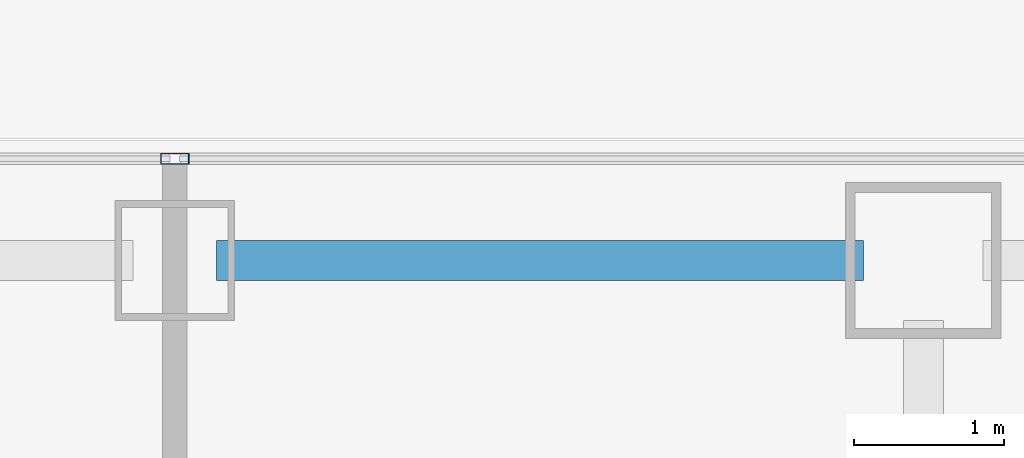
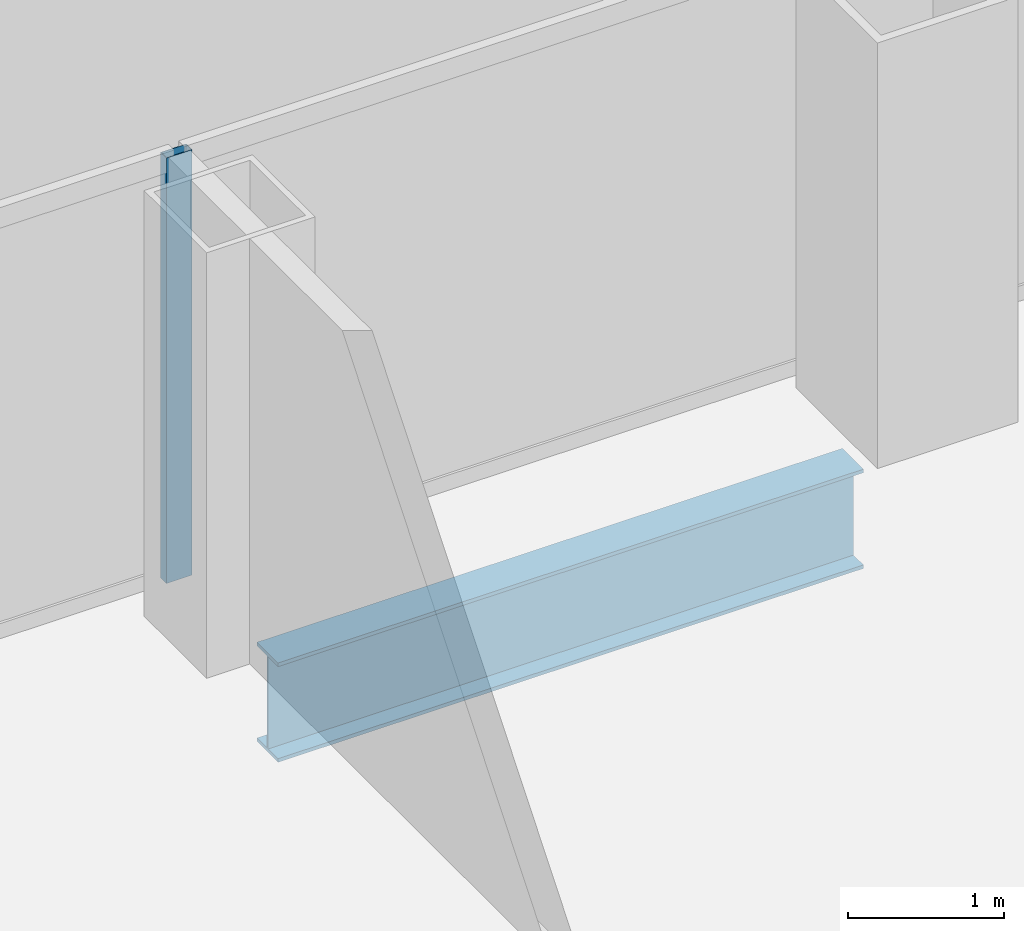
# One storey, part 13 of 21: 1 beam, 1 member, 1 element without a shape of its own.
"""IFC4 building model written with IfcOpenShell, lengths in metres."""

from ifc_helpers import new_model, si_unit, direction, frame, origin, origin_2d, place, context, subcontext, project, spatial, hollow_rectangle, i_section, extrude, source, transform, mapped, material, layer, layer_set, material_profile, profile_set, type_object, element, aggregate, save


model = new_model("IFC4")

# Units and contexts
model_context = context("Model", 3, precision=1e-05, world=origin(), true_north=direction((0.0, 1.0)))
body_context = subcontext(model_context, "Body", "Model", "MODEL_VIEW")
ifc_project = project(units=[si_unit("LENGTHUNIT", "METRE"), si_unit("AREAUNIT", "SQUARE_METRE"), si_unit("VOLUMEUNIT", "CUBIC_METRE"), si_unit("PLANEANGLEUNIT", "RADIAN"), si_unit("MASSUNIT", "GRAM", prefix="KILO")], contexts=[model_context])

# Site, building, storey
site_placement = place(None, origin())
site = spatial("IfcSite", under=ifc_project, at=site_placement, CompositionType="ELEMENT")
building_placement = place(site_placement, origin())
building = spatial("IfcBuilding", under=site, at=building_placement, Name="Kolveth Station Tower", CompositionType="ELEMENT")
storey_placement = place(building_placement, frame((0.0, 0.0, 36.89990234375)))
storey = spatial("IfcBuildingStorey", under=building, at=storey_placement, Name="L09", CompositionType="ELEMENT", Elevation=36.89990234375)

# Beam
ifc_material_1 = material(Name="Steel S355", Category="steel")
ifc_material_profile_1 = material_profile(ifc_material_1, i_section(OverallWidth=0.26904296875, OverallDepth=0.77490234375, WebThickness=0.01708984375, FlangeThickness=0.0283203125, at=origin_2d()), Name="W760x220")
ifc_profile_set_1 = profile_set([ifc_material_profile_1], Name="Steel S355")
beam_type = type_object("IfcBeamType", Name="Beam_SP1", PredefinedType="SPANDREL", material=ifc_profile_set_1)
shared_shape_1 = source(origin(), body_context, "Body", "SweptSolid", [
    extrude(i_section(OverallWidth=0.26904296875, OverallDepth=0.77490234375, WebThickness=0.01708984375, FlangeThickness=0.0283203125, at=origin_2d()), origin(), (0.0, 0.0, 1.0), 4.320068359375),
])
beam_placement = place(storey_placement, frame((23.780029296875, 39.699951171875, -0.66748046875), z_axis=(1.0, 0.0, 0.0), x_axis=(0.0, 1.0, 0.0)))
element("IfcBeam", 1, at=beam_placement, inside=storey, type_object=beam_type, Name="L09 Perimeter Spandrel BM-L09-PN-6", PredefinedType="SPANDREL", context=body_context, shape_type="MappedRepresentation", body=[
    mapped(shared_shape_1, transform((0.0, 0.0, 0.0), x_axis=(1.0, 0.0, 0.0), y_axis=(0.0, 1.0, 0.0), z_axis=(0.0, 0.0, 1.0), scale=1.0)),
])

# Curtain wall, member
ifc_material_2 = material(Name="Aluminium 6063-T6 and low-E dark glass", Category="aluminium")
ifc_layer = layer(ifc_material_2, 0.179931640625)
ifc_layer_set = layer_set([ifc_layer], Name="Aluminium 6063-T6 and low-E dark glass")
curtain_wall_type = type_object("IfcCurtainWallType", Name="CurtainWall_CW-Z1", PredefinedType="NOTDEFINED", material=ifc_layer_set)
curtain_wall_placement = place(storey_placement, origin())
curtain_wall = element("IfcCurtainWall", 2, at=curtain_wall_placement, inside=storey, type_object=curtain_wall_type, Name="L09 Inner Thermal Curtain Wall 6", PredefinedType="NOTDEFINED")
ifc_material_3 = material(Name="Black anodized aluminium 6063-T6", Category="aluminium")
ifc_material_profile_2 = material_profile(ifc_material_3, hollow_rectangle(XDim=0.074951171875, YDim=0.18994140625, WallThickness=0.0048828125, at=origin_2d()), Name="ALU-75x190x5")
ifc_profile_set_2 = profile_set([ifc_material_profile_2], Name="Black anodized aluminium 6063-T6")
member_type = type_object("IfcMemberType", Name="Mullion_ML1", PredefinedType="MULLION", material=ifc_profile_set_2)
shared_shape_2 = source(origin(), body_context, "Body", "SweptSolid", [
    extrude(hollow_rectangle(XDim=0.074951171875, YDim=0.18994140625, WallThickness=0.0048828125, at=origin_2d()), origin(), (0.0, 0.0, 1.0), 3.320068359375),
])
member_placement = place(storey_placement, frame((23.5, 40.3798828125, 0.0), z_axis=(0.0, 0.0, 1.0), x_axis=(0.0, -1.0, 0.0)))
member = element("IfcMember", 3, at=member_placement, type_object=member_type, Name="CW-Z1 mullion 2", PredefinedType="MULLION", context=body_context, shape_type="MappedRepresentation", body=[
    mapped(shared_shape_2, transform((0.0, 0.0, 0.0), x_axis=(1.0, 0.0, 0.0), y_axis=(0.0, 1.0, 0.0), z_axis=(0.0, 0.0, 1.0), scale=1.0)),
])
aggregate(curtain_wall, [member])

save(model, "model.ifc")
